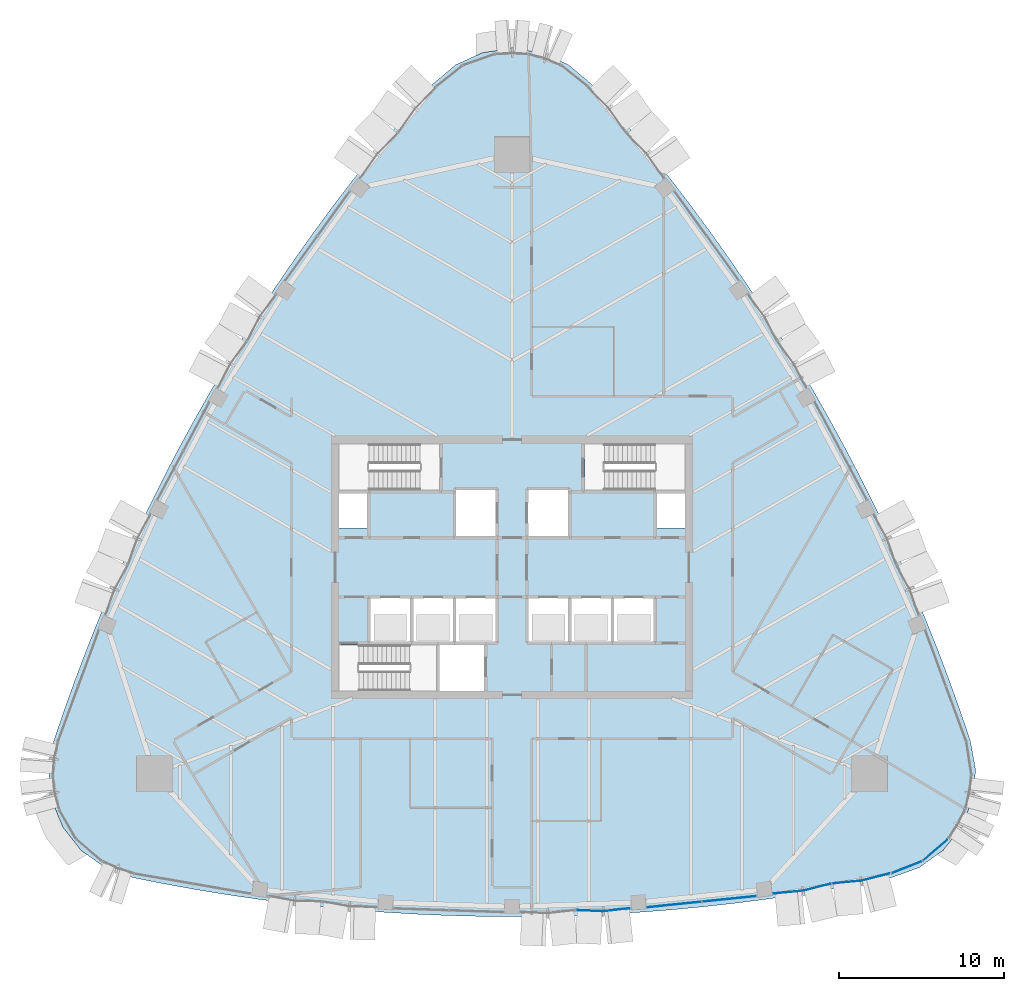
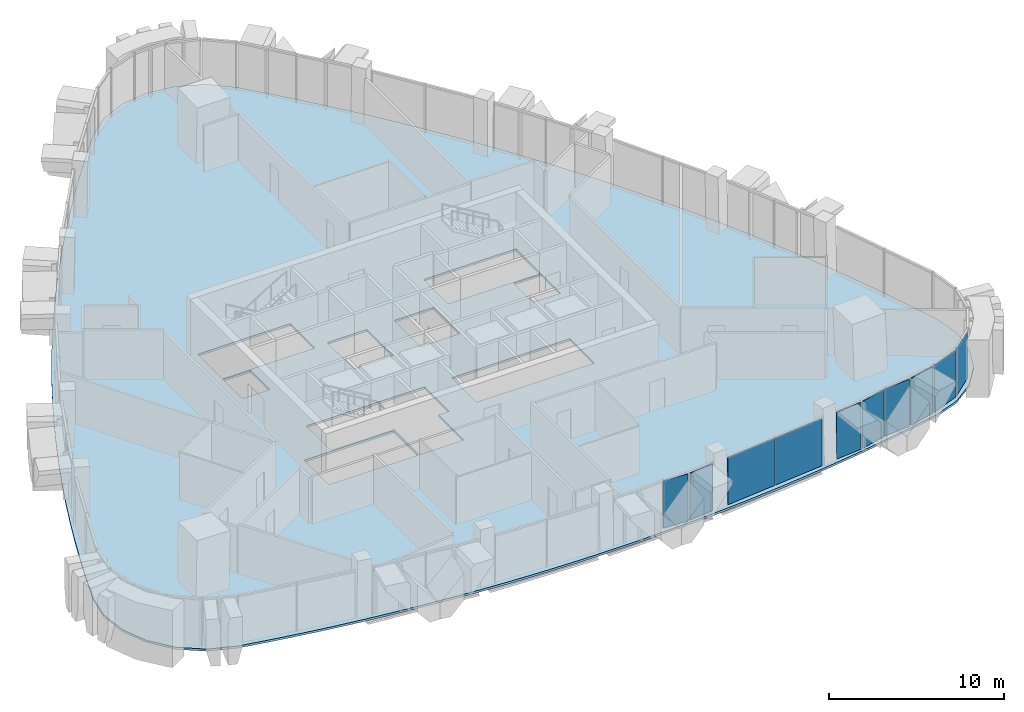
# One storey, part 9 of 18: 10 plates, 1 slab, 5 elements without a shape of their own.
"""IFC4 building model written with IfcOpenShell, lengths in metres."""

from ifc_helpers import new_model, si_unit, direction, frame, origin, origin_2d, place, context, subcontext, project, spatial, polyline, rectangle, outline, extrude, material, layer, layer_set, type_object, element, aggregate, save


model = new_model("IFC4")

# Units and contexts
model_context = context("Model", 3, precision=1e-05, world=origin(), true_north=direction((0.0, 1.0)))
body_context = subcontext(model_context, "Body", "Model", "MODEL_VIEW")
ifc_project = project(units=[si_unit("LENGTHUNIT", "METRE"), si_unit("AREAUNIT", "SQUARE_METRE"), si_unit("VOLUMEUNIT", "CUBIC_METRE"), si_unit("PLANEANGLEUNIT", "RADIAN"), si_unit("MASSUNIT", "GRAM", prefix="KILO")], contexts=[model_context])

# Site, building, storey
site_placement = place(None, origin())
site = spatial("IfcSite", under=ifc_project, at=site_placement, CompositionType="ELEMENT")
building_placement = place(site_placement, origin())
building = spatial("IfcBuilding", under=site, at=building_placement, Name="Sierra Prisma Convention Tower", CompositionType="ELEMENT")
storey_placement = place(building_placement, frame((0.0, 0.0, 251.0)))
storey = spatial("IfcBuildingStorey", under=building, at=storey_placement, Name="L56", CompositionType="ELEMENT", Elevation=251.0)

# Curtain wall, plates
ifc_material_1 = material(Name="Aluminium and glass curtain wall", Category="aluminium")
ifc_layer_1 = layer(ifc_material_1, 0.179931640625)
ifc_layer_set_1 = layer_set([ifc_layer_1], Name="CW-1 Plain shaft curtain wall")
curtain_wall_type_1 = type_object("IfcCurtainWallType", Name="CW-1 Plain shaft curtain wall", PredefinedType="NOTDEFINED", material=ifc_layer_set_1)
curtain_wall_1_placement = place(storey_placement, origin())
curtain_wall_1 = element("IfcCurtainWall", 1, at=curtain_wall_1_placement, inside=storey, type_object=curtain_wall_type_1, Name="CW-1 S5 L56", PredefinedType="NOTDEFINED")
ifc_material_2 = material(Name="Tinted glass bronze-grey IGU", Category="glass")
ifc_layer_2 = layer(ifc_material_2, 0.028076171875)
ifc_layer_set_2 = layer_set([ifc_layer_2], Name="CW-1 glass panel")
plate_type_1 = type_object("IfcPlateType", Name="CW-1 glass panel", PredefinedType="CURTAIN_PANEL", material=ifc_layer_set_2)
plate_1_placement = place(storey_placement, frame((9.86181640625, -20.479248046875, 0.0), z_axis=(0.0, 0.0, 1.0), x_axis=(0.99474417326, 0.102391551236, 0.0)))
plate_1 = element("IfcPlate", 2, at=plate_1_placement, type_object=plate_type_1, Name="CW-1 panel S5.1", PredefinedType="CURTAIN_PANEL", context=body_context, shape_type="SweptSolid", body=[
    extrude(rectangle(XDim=3.281494140625, YDim=0.028076171875, at=origin_2d()), origin(), (0.0, 0.0, 1.0), 3.280029296875),
])
plate_2_placement = place(storey_placement, frame((13.195556640625, -20.135986328125, 0.0), z_axis=(0.0, 0.0, 1.0), x_axis=(0.99474417326, 0.102391551236, 0.0)))
plate_2 = element("IfcPlate", 3, at=plate_2_placement, type_object=plate_type_1, Name="CW-1 panel S5.2", PredefinedType="CURTAIN_PANEL", context=body_context, shape_type="SweptSolid", body=[
    extrude(rectangle(XDim=3.281494140625, YDim=0.028076171875, at=origin_2d()), origin(), (0.0, 0.0, 1.0), 3.280029296875),
])
aggregate(curtain_wall_1, [plate_1, plate_2])

# Curtain wall, plate
curtain_wall_2_placement = place(storey_placement, origin())
curtain_wall_2 = element("IfcCurtainWall", 4, at=curtain_wall_2_placement, inside=storey, type_object=curtain_wall_type_1, Name="CW-1 SE1 L56", PredefinedType="NOTDEFINED")
plate_3_placement = place(storey_placement, frame((23.95751953125, -18.219482421875, 0.0), z_axis=(0.0, 0.0, 1.0), x_axis=(0.931036420765, 0.364926270923, 0.0)))
plate_3 = element("IfcPlate", 5, at=plate_3_placement, type_object=plate_type_1, Name="CW-1 panel SE1.1", PredefinedType="CURTAIN_PANEL", context=body_context, shape_type="SweptSolid", body=[
    extrude(rectangle(XDim=1.93115234375, YDim=0.028076171875, at=origin_2d()), origin(), (0.0, 0.0, 1.0), 3.280029296875),
])
aggregate(curtain_wall_2, [plate_3])

curtain_wall_3_placement = place(storey_placement, origin())
curtain_wall_3 = element("IfcCurtainWall", 6, at=curtain_wall_3_placement, inside=storey, type_object=curtain_wall_type_1, Name="CW-1 SE2 L56", PredefinedType="NOTDEFINED")
plate_4_placement = place(storey_placement, frame((25.706787109375, -17.166259765625, 0.0), z_axis=(0.0, 0.0, 1.0), x_axis=(0.758117005895, 0.652118551624, 0.0)))
plate_4 = element("IfcPlate", 7, at=plate_4_placement, type_object=plate_type_1, Name="CW-1 panel SE2.1", PredefinedType="CURTAIN_PANEL", context=body_context, shape_type="SweptSolid", body=[
    extrude(rectangle(XDim=1.93115234375, YDim=0.028076171875, at=origin_2d()), origin(), (0.0, 0.0, 1.0), 3.280029296875),
])
aggregate(curtain_wall_3, [plate_4])

# Curtain wall, plates
ifc_material_3 = material(Name="Aluminium and glass curtain wall", Category="aluminium")
ifc_layer_3 = layer(ifc_material_3, 0.179931640625)
ifc_layer_set_3 = layer_set([ifc_layer_3], Name="CW-2 Faceted crystal curtain wall")
curtain_wall_type_2 = type_object("IfcCurtainWallType", Name="CW-2 Faceted crystal curtain wall", PredefinedType="NOTDEFINED", material=ifc_layer_set_3)
curtain_wall_4_placement = place(storey_placement, origin())
curtain_wall_4 = element("IfcCurtainWall", 8, at=curtain_wall_4_placement, inside=storey, type_object=curtain_wall_type_2, Name="CW-2 S4 L56", PredefinedType="NOTDEFINED")
ifc_material_4 = material(Name="Tinted glass bronze-grey IGU", Category="glass")
ifc_layer_4 = layer(ifc_material_4, 0.028076171875)
ifc_layer_set_4 = layer_set([ifc_layer_4], Name="CW-2 crystal pane")
plate_type_2 = type_object("IfcPlateType", Name="CW-2 crystal pane", PredefinedType="CURTAIN_PANEL", material=ifc_layer_set_4)
plate_5_placement = place(storey_placement, frame((3.885009765625, -20.831298828125, 0.0), z_axis=(-0.044410838136, -0.999013351991, 0.0), x_axis=(0.999013351991, -0.044410838136, 0.0)))
plate_5 = element("IfcPlate", 9, at=plate_5_placement, type_object=plate_type_2, Name="CW-2 pane S4.2.1", PredefinedType="CURTAIN_PANEL", context=body_context, shape_type="SweptSolid", body=[
    extrude(outline(polyline([(0.0, 0.0), (1.5887257161899484, 0.0), (1.5887257161899484, 3.280029296875), (0.0, 3.280029296875), (0.0, 0.0)])), origin(), (0.0, 0.0, -1.0), 0.028076171875),
])
plate_6_placement = place(storey_placement, frame((7.180419921875, -20.71875, 0.0), z_axis=(0.112489015281, -0.993652968315, 0.0), x_axis=(-0.993652968315, -0.112489015281, 0.0)))
plate_6 = element("IfcPlate", 10, at=plate_6_placement, type_object=plate_type_2, Name="CW-2 pane S4.2.2", PredefinedType="CURTAIN_PANEL", context=body_context, shape_type="SweptSolid", body=[
    extrude(outline(polyline([(0.0, 0.0), (1.588696790114785, 0.0), (1.588696790114785, -3.280029296875001), (0.0, -3.280029296875001), (0.0, 0.0)])), origin(), (0.0, 0.0, -1.0), 0.028076171875),
])
aggregate(curtain_wall_4, [plate_5, plate_6])

curtain_wall_5_placement = place(storey_placement, origin())
curtain_wall_5 = element("IfcCurtainWall", 11, at=curtain_wall_5_placement, inside=storey, type_object=curtain_wall_type_2, Name="CW-2 S6 L56", PredefinedType="NOTDEFINED")
plate_7_placement = place(storey_placement, frame((15.901123046875, -19.82177734375, 0.0), z_axis=(0.092227134916, -0.995737995451, 0.0), x_axis=(0.995737995451, 0.092227134916, 0.0)))
plate_7 = element("IfcPlate", 12, at=plate_7_placement, type_object=plate_type_2, Name="CW-2 pane S6.1.1", PredefinedType="CURTAIN_PANEL", context=body_context, shape_type="SweptSolid", body=[
    extrude(outline(polyline([(0.0, 0.0), (1.7047755266743503, 0.0), (1.7047755266743503, 3.280029296875), (0.0, 3.280029296875), (0.0, 0.0)])), origin(), (0.0, 0.0, -1.0), 0.028076171875),
])
plate_8_placement = place(storey_placement, frame((19.378173828125, -19.2216796875, 0.0), z_axis=(0.246914048335, -0.969037384591, 0.0), x_axis=(-0.969037384591, -0.246914048335, 0.0)))
plate_8 = element("IfcPlate", 13, at=plate_8_placement, type_object=plate_type_2, Name="CW-2 pane S6.1.2", PredefinedType="CURTAIN_PANEL", context=body_context, shape_type="SweptSolid", body=[
    extrude(outline(polyline([(0.0, 0.0), (1.7046354403007182, 0.0), (1.7046354403007182, -3.280029296875), (0.0, -3.280029296875), (0.0, 0.0)])), origin(), (0.0, 0.0, -1.0), 0.028076171875),
])
plate_9_placement = place(storey_placement, frame((19.447265625, -19.209716796875, 0.0), z_axis=(0.092227134916, -0.995737995451, 0.0), x_axis=(0.995737995451, 0.092227134916, 0.0)))
plate_9 = element("IfcPlate", 14, at=plate_9_placement, type_object=plate_type_2, Name="CW-2 pane S6.2.1", PredefinedType="CURTAIN_PANEL", context=body_context, shape_type="SweptSolid", body=[
    extrude(outline(polyline([(0.0, 0.0), (1.7047755266743503, 0.0), (1.7047755266743503, 3.280029296875), (0.0, 3.280029296875), (0.0, 0.0)])), origin(), (0.0, 0.0, -1.0), 0.028076171875),
])
plate_10_placement = place(storey_placement, frame((22.92431640625, -18.609375, 0.0), z_axis=(0.246914048335, -0.969037384591, 0.0), x_axis=(-0.969037384591, -0.246914048335, 0.0)))
plate_10 = element("IfcPlate", 15, at=plate_10_placement, type_object=plate_type_2, Name="CW-2 pane S6.2.2", PredefinedType="CURTAIN_PANEL", context=body_context, shape_type="SweptSolid", body=[
    extrude(outline(polyline([(0.0, 0.0), (1.7046354403007182, 0.0), (1.7046354403007182, -3.280029296875), (0.0, -3.280029296875), (0.0, 0.0)])), origin(), (0.0, 0.0, -1.0), 0.028076171875),
])
aggregate(curtain_wall_5, [plate_7, plate_8, plate_9, plate_10])

# Slab
ifc_material_5 = material(Name="Concrete C35/45", Category="concrete")
ifc_layer_5 = layer(ifc_material_5, 0.14990234375)
ifc_layer_set_5 = layer_set([ifc_layer_5], Name="Composite floor slab 150")
slab_type = type_object("IfcSlabType", Name="Composite floor slab 150", PredefinedType="FLOOR", material=ifc_layer_set_5)
slab_placement = place(storey_placement, frame((0.0, 0.0, -0.14990234375)))
element("IfcSlab", 16, at=slab_placement, inside=storey, type_object=slab_type, Name="Floor slab L56 floor", PredefinedType="FLOOR", context=body_context, shape_type="SweptSolid", body=[
    extrude(outline(polyline([(-23.044189453125, -18.84228515625), (-21.147705078125, -19.219970703125), (-19.244873046875, -19.565185546875), (-17.33642578125, -19.8779296875), (-15.4228515625, -20.157958984375), (-13.5048828125, -20.4052734375), (-11.5830078125, -20.61962890625), (-9.65771484375, -20.80126953125), (-7.7294921875, -20.949951171875), (-5.799072265625, -21.0654296875), (-3.866943359375, -21.148193359375), (-1.933837890625, -21.19775390625), (0.0, -21.21435546875), (1.933837890625, -21.19775390625), (3.866943359375, -21.148193359375), (5.799072265625, -21.0654296875), (7.7294921875, -20.949951171875), (9.65771484375, -20.80126953125), (11.5830078125, -20.61962890625), (13.5048828125, -20.4052734375), (15.4228515625, -20.157958984375), (17.33642578125, -19.8779296875), (19.244873046875, -19.565185546875), (21.147705078125, -19.219970703125), (23.044189453125, -18.84228515625), (24.736328125, -18.233154296875), (26.193603515625, -17.17919921875), (27.302001953125, -15.7626953125), (27.974609375, -14.0947265625), (28.15869140625, -12.3056640625), (27.840087890625, -10.53564453125), (27.21875, -8.704345703125), (26.56640625, -6.8837890625), (25.883056640625, -5.07470703125), (25.168701171875, -3.277587890625), (24.423828125, -1.492919921875), (23.648681640625, 0.27880859375), (22.84326171875, 2.036865234375), (22.0078125, 3.781005859375), (21.142822265625, 5.510498046875), (20.248291015625, 7.22509765625), (19.32470703125, 8.924072265625), (18.3720703125, 10.607177734375), (17.390869140625, 12.273681640625), (16.38134765625, 13.923095703125), (15.34375, 15.554931640625), (14.2783203125, 17.1689453125), (13.185546875, 18.764404296875), (12.065673828125, 20.341064453125), (10.9189453125, 21.898193359375), (9.745849609375, 23.435546875), (8.546630859375, 24.95263671875), (7.321533203125, 26.44921875), (6.0712890625, 27.92431640625), (4.7958984375, 29.3779296875), (3.422119140625, 30.5390625), (1.78076171875, 31.27392578125), (0.0, 31.525634765625), (-1.78076171875, 31.27392578125), (-3.422119140625, 30.5390625), (-4.7958984375, 29.3779296875), (-6.0712890625, 27.92431640625), (-7.321533203125, 26.44921875), (-8.546630859375, 24.95263671875), (-9.745849609375, 23.435546875), (-10.9189453125, 21.898193359375), (-12.065673828125, 20.341064453125), (-13.185546875, 18.764404296875), (-14.2783203125, 17.1689453125), (-15.34375, 15.554931640625), (-16.38134765625, 13.923095703125), (-17.390869140625, 12.273681640625), (-18.3720703125, 10.607177734375), (-19.32470703125, 8.924072265625), (-20.248291015625, 7.22509765625), (-21.142822265625, 5.510498046875), (-22.0078125, 3.781005859375), (-22.84326171875, 2.036865234375), (-23.648681640625, 0.27880859375), (-24.423828125, -1.492919921875), (-25.168701171875, -3.277587890625), (-25.883056640625, -5.07470703125), (-26.56640625, -6.8837890625), (-27.21875, -8.704345703125), (-27.840087890625, -10.53564453125), (-28.15869140625, -12.3056640625), (-27.974609375, -14.0947265625), (-27.302001953125, -15.7626953125), (-26.193603515625, -17.17919921875), (-24.736328125, -18.233154296875), (-23.044189453125, -18.84228515625)]), holes=[polyline([(-4.60009765625, -4.699951171875), (-4.60009765625, -7.5), (-10.5, -7.5), (-10.5, -4.699951171875), (-4.60009765625, -4.699951171875)]), polyline([(-4.5, -7.5), (-4.5, -4.60009765625), (-6.10009765625, -4.60009765625), (-8.699951171875, -4.60009765625), (-8.699951171875, -1.800048828125), (-6.10009765625, -1.800048828125), (-3.5, -1.800048828125), (-0.89990234375, -1.800048828125), (-0.89990234375, -4.60009765625), (-1.60009765625, -4.60009765625), (-1.60009765625, -7.5), (-4.5, -7.5)]), polyline([(-8.699951171875, 2.39990234375), (-10.5, 2.39990234375), (-10.5, 4.60009765625), (-8.699951171875, 4.60009765625), (-8.699951171875, 2.39990234375)]), polyline([(-4.39990234375, 4.699951171875), (-10.5, 4.699951171875), (-10.5, 7.5), (-4.39990234375, 7.5), (-4.39990234375, 4.699951171875)]), polyline([(3.5, -1.800048828125), (6.10009765625, -1.800048828125), (8.699951171875, -1.800048828125), (8.699951171875, -4.60009765625), (6.10009765625, -4.60009765625), (3.5, -4.60009765625), (0.89990234375, -4.60009765625), (0.89990234375, -1.800048828125), (3.5, -1.800048828125)]), polyline([(-0.89990234375, 1.800048828125), (-3.5, 1.800048828125), (-3.5, 4.800048828125), (-0.89990234375, 4.800048828125), (-0.89990234375, 1.800048828125)]), polyline([(3.5, 1.800048828125), (0.89990234375, 1.800048828125), (0.89990234375, 4.800048828125), (3.5, 4.800048828125), (3.5, 1.800048828125)]), polyline([(10.5, 2.39990234375), (8.699951171875, 2.39990234375), (8.699951171875, 4.60009765625), (10.5, 4.60009765625), (10.5, 2.39990234375)]), polyline([(10.5, 4.699951171875), (4.39990234375, 4.699951171875), (4.39990234375, 7.5), (10.5, 7.5), (10.5, 4.699951171875)])]), origin(), (0.0, 0.0, 1.0), 0.14990234375),
])

save(model, "model.ifc")
